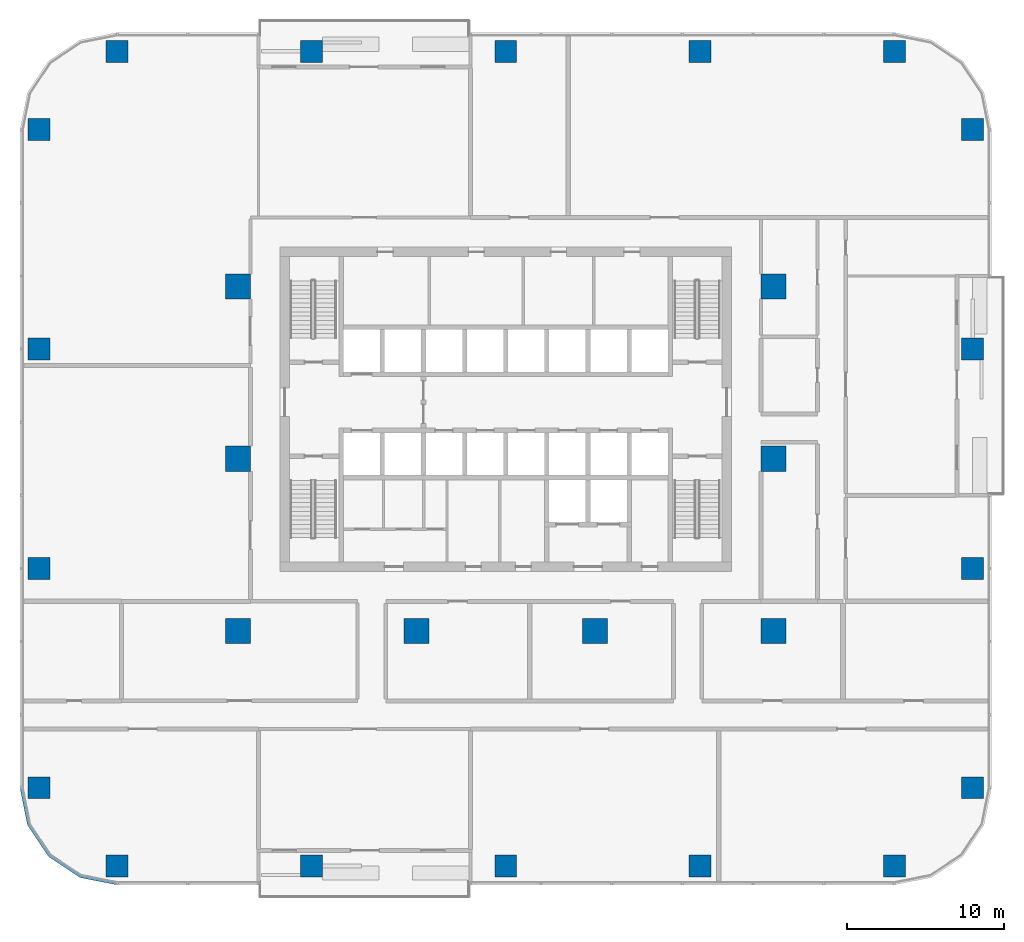
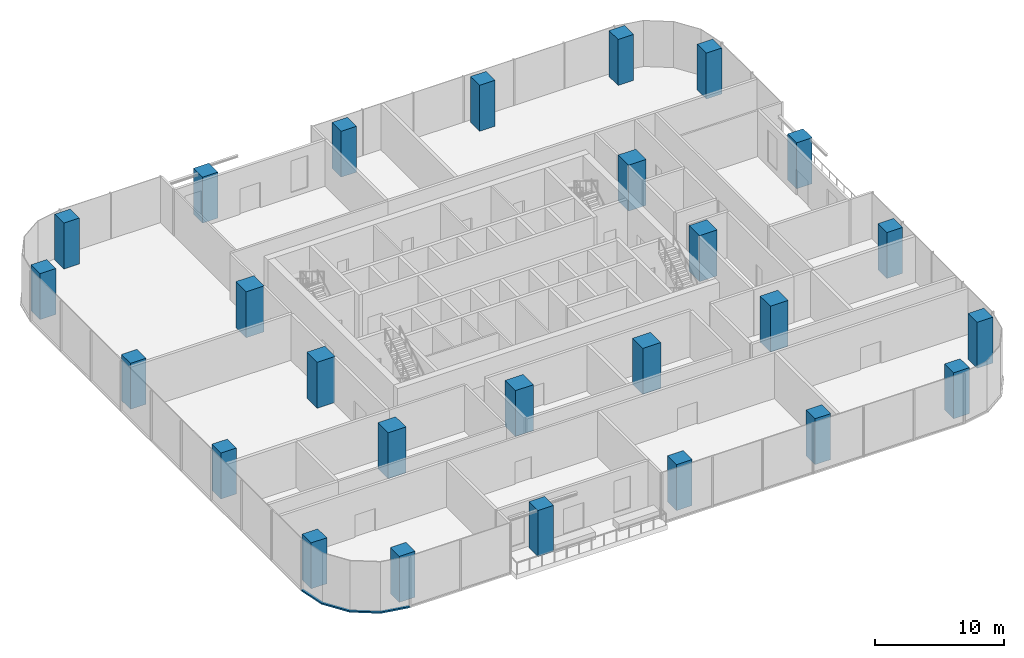
# One storey, part 1 of 15: 26 columns, 1 member, 1 element without a shape of its own.
"""IFC4 building model written with IfcOpenShell, lengths in metres."""

from ifc_helpers import new_model, si_unit, direction, frame, origin, origin_2d, place, context, subcontext, project, spatial, polyline, rectangle, outline, extrude, material, material_profile, profile_set, type_object, element, aggregate, save


model = new_model("IFC4")

# Units and contexts
model_context = context("Model", 3, precision=1e-05, world=origin(), true_north=direction((0.0, 1.0)))
body_context = subcontext(model_context, "Body", "Model", "MODEL_VIEW")
ifc_project = project(units=[si_unit("LENGTHUNIT", "METRE"), si_unit("AREAUNIT", "SQUARE_METRE"), si_unit("VOLUMEUNIT", "CUBIC_METRE"), si_unit("PLANEANGLEUNIT", "RADIAN"), si_unit("MASSUNIT", "GRAM", prefix="KILO")], contexts=[model_context])

# Site, building, storey
site_placement = place(None, origin())
site = spatial("IfcSite", under=ifc_project, at=site_placement, CompositionType="ELEMENT")
building_placement = place(site_placement, origin())
building = spatial("IfcBuilding", under=site, at=building_placement, Name="Mopane Tessera Tower", CompositionType="ELEMENT")
storey_placement = place(building_placement, frame((0.0, 0.0, 79.0)))
storey = spatial("IfcBuildingStorey", under=building, at=storey_placement, Name="L15", CompositionType="ELEMENT", Elevation=79.0)

# Columns
ifc_material_1 = material(Name="Concrete C60/75", Category="concrete")
ifc_material_profile_1 = material_profile(ifc_material_1, rectangle(XDim=1.60009765625, YDim=1.60009765625, at=origin_2d()))
ifc_profile_set_1 = profile_set([ifc_material_profile_1], Name="Concrete C60/75")
column_type_1 = type_object("IfcColumnType", Name="Interior column 1600 x 1600 C60/75", PredefinedType="COLUMN", material=ifc_profile_set_1)
for number, where, z_axis, x_axis, name in (
    (1, (-17.10009765625, -11.0, 0.0), (0.0, 0.0, 1.0), (1.0, 0.0, 0.0), "Interior column I1A L15"),
    (2, (-17.10009765625, 0.0, 0.0), (0.0, 0.0, 1.0), (1.0, 0.0, 0.0), "Interior column I1B L15"),
    (3, (-17.10009765625, 11.0, 0.0), (0.0, 0.0, 1.0), (1.0, 0.0, 0.0), "Interior column I1C L15"),
    (4, (-5.699951171875, -11.0, 0.0), (0.0, 0.0, 1.0), (1.0, 0.0, 0.0), "Interior column I2A L15"),
    (5, (5.699951171875, -11.0, 0.0), (0.0, 0.0, 1.0), (1.0, 0.0, 0.0), "Interior column I3A L15"),
    (6, (17.10009765625, -11.0, 0.0), (0.0, 0.0, 1.0), (1.0, 0.0, 0.0), "Interior column I4A L15"),
    (7, (17.10009765625, 0.0, 0.0), (0.0, 0.0, 1.0), (1.0, 0.0, 0.0), "Interior column I4B L15"),
    (8, (17.10009765625, 11.0, 0.0), (0.0, 0.0, 1.0), (1.0, 0.0, 0.0), "Interior column I4C L15"),
):
    element("IfcColumn", number, at=place(storey_placement, frame(where, z_axis=z_axis, x_axis=x_axis)), inside=storey, type_object=column_type_1, Name=name, PredefinedType="COLUMN", context=body_context, shape_type="SweptSolid", body=[
        extrude(rectangle(XDim=1.60009765625, YDim=1.60009765625, at=origin_2d()), origin(), (0.0, 0.0, 1.0), 4.35009765625),
    ])
ifc_material_2 = material(Name="Concrete C60/75", Category="concrete")
ifc_material_profile_2 = material_profile(ifc_material_2, rectangle(XDim=1.39990234375, YDim=1.39990234375, at=origin_2d()))
ifc_profile_set_2 = profile_set([ifc_material_profile_2], Name="Concrete C60/75")
column_type_2 = type_object("IfcColumnType", Name="Ring column 1400 x 1400 C60/75", PredefinedType="COLUMN", material=ifc_profile_set_2)
for number, where, z_axis, x_axis, name in (
    (9, (-24.800048828125, -26.0, 0.0), (0.0, 0.0, 1.0), (1.0, 0.0, 0.0), "Ring column S0 L15"),
    (10, (-12.39990234375, -26.0, 0.0), (0.0, 0.0, 1.0), (1.0, 0.0, 0.0), "Ring column S1 L15"),
    (11, (0.0, -26.0, 0.0), (0.0, 0.0, 1.0), (1.0, 0.0, 0.0), "Ring column S2 L15"),
    (12, (12.39990234375, -26.0, 0.0), (0.0, 0.0, 1.0), (1.0, 0.0, 0.0), "Ring column S3 L15"),
    (13, (24.800048828125, -26.0, 0.0), (0.0, 0.0, 1.0), (1.0, 0.0, 0.0), "Ring column S4 L15"),
    (14, (29.800048828125, -21.0, 0.0), (0.0, 0.0, 1.0), (1.0, 0.0, 0.0), "Ring column E0 L15"),
    (15, (29.800048828125, -7.0, 0.0), (0.0, 0.0, 1.0), (1.0, 0.0, 0.0), "Ring column E1 L15"),
    (16, (29.800048828125, 7.0, 0.0), (0.0, 0.0, 1.0), (1.0, 0.0, 0.0), "Ring column E2 L15"),
    (17, (29.800048828125, 21.0, 0.0), (0.0, 0.0, 1.0), (1.0, 0.0, 0.0), "Ring column E3 L15"),
    (18, (24.800048828125, 26.0, 0.0), (0.0, 0.0, 1.0), (1.0, 0.0, 0.0), "Ring column N0 L15"),
    (19, (12.39990234375, 26.0, 0.0), (0.0, 0.0, 1.0), (1.0, 0.0, 0.0), "Ring column N1 L15"),
    (20, (0.0, 26.0, 0.0), (0.0, 0.0, 1.0), (1.0, 0.0, 0.0), "Ring column N2 L15"),
    (21, (-12.39990234375, 26.0, 0.0), (0.0, 0.0, 1.0), (1.0, 0.0, 0.0), "Ring column N3 L15"),
    (22, (-24.800048828125, 26.0, 0.0), (0.0, 0.0, 1.0), (1.0, 0.0, 0.0), "Ring column N4 L15"),
    (23, (-29.800048828125, 21.0, 0.0), (0.0, 0.0, 1.0), (1.0, 0.0, 0.0), "Ring column W0 L15"),
    (24, (-29.800048828125, 7.0, 0.0), (0.0, 0.0, 1.0), (1.0, 0.0, 0.0), "Ring column W1 L15"),
    (25, (-29.800048828125, -7.0, 0.0), (0.0, 0.0, 1.0), (1.0, 0.0, 0.0), "Ring column W2 L15"),
    (26, (-29.800048828125, -21.0, 0.0), (0.0, 0.0, 1.0), (1.0, 0.0, 0.0), "Ring column W3 L15"),
):
    element("IfcColumn", number, at=place(storey_placement, frame(where, z_axis=z_axis, x_axis=x_axis)), inside=storey, type_object=column_type_2, Name=name, PredefinedType="COLUMN", context=body_context, shape_type="SweptSolid", body=[
        extrude(rectangle(XDim=1.39990234375, YDim=1.39990234375, at=origin_2d()), origin(), (0.0, 0.0, 1.0), 4.35009765625),
    ])

# Curtain wall, member
ifc_material_3 = material(Name="Aluminium frame", Category="aluminium")
curtain_wall_type = type_object("IfcCurtainWallType", Name="Lower tower unitised wall", PredefinedType="NOTDEFINED", material=ifc_material_3)
curtain_wall_placement = place(storey_placement, origin())
curtain_wall = element("IfcCurtainWall", 27, at=curtain_wall_placement, inside=storey, type_object=curtain_wall_type, Name="e:cw:L15:CW", PredefinedType="NOTDEFINED")
ifc_material_4 = material(Name="Aluminium frame", Category="aluminium")
ifc_material_profile_3 = material_profile(ifc_material_4, rectangle(XDim=0.199951171875, YDim=0.139892578125, at=origin_2d()))
ifc_profile_set_3 = profile_set([ifc_material_profile_3], Name="Aluminium frame")
member_type = type_object("IfcMemberType", Name="Aluminium transom 200 x 140", PredefinedType="USERDEFINED", material=ifc_profile_set_3)
member_placement = place(storey_placement, frame((0.0, 0.0, -0.449951171875)))
member = element("IfcMember", 28, at=member_placement, type_object=member_type, Name="e:cw:L15:CW:tr", ObjectType="TRANSOM", PredefinedType="USERDEFINED", context=body_context, shape_type="SweptSolid", body=[
    extrude(outline(polyline([(-30.800048828125, -21.0), (-30.34326171875, -23.296142578125), (-29.042724609375, -25.24267578125), (-27.09619140625, -26.543212890625), (-24.800048828125, -27.0), (-24.800048828125, -27.199951171875), (-27.172607421875, -26.72802734375), (-29.18408203125, -25.384033203125), (-30.528076171875, -23.37255859375), (-31.0, -21.0), (-30.800048828125, -21.0)])), origin(), (0.0, 0.0, 1.0), 0.139892578125),
])
aggregate(curtain_wall, [member])

save(model, "model.ifc")
